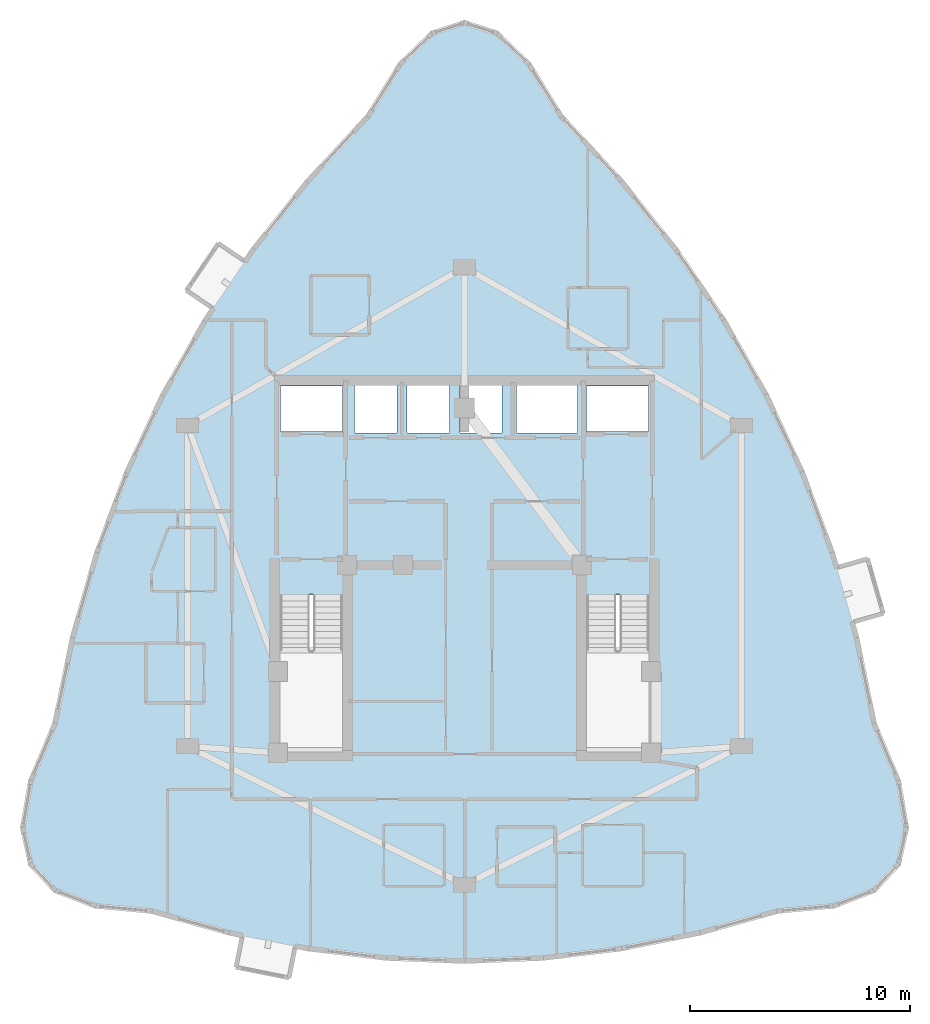
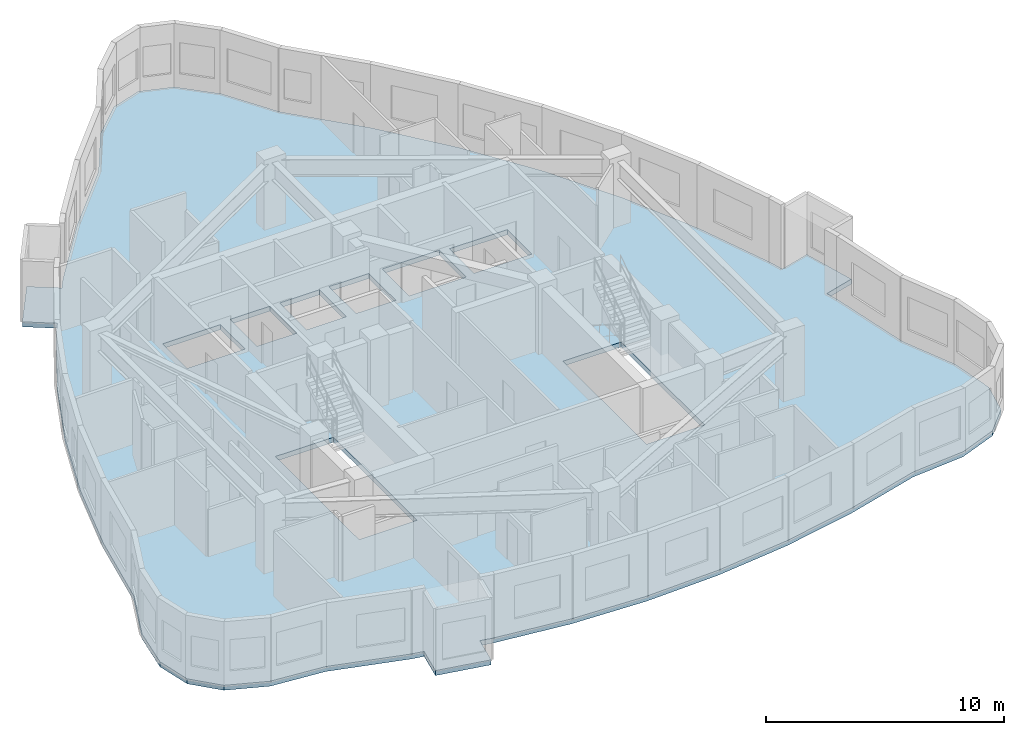
# One storey, part 5 of 13: 1 slab.
"""IFC4 building model written with IfcOpenShell, lengths in metres."""

from ifc_helpers import new_model, si_unit, direction, frame, origin, place, context, subcontext, project, spatial, polyline, outline, extrude, material, layer, layer_set, type_object, element, save


model = new_model("IFC4")

# Units and contexts
model_context = context("Model", 3, precision=1e-05, world=origin(), true_north=direction((0.0, 1.0)))
body_context = subcontext(model_context, "Body", "Model", "MODEL_VIEW")
ifc_project = project(units=[si_unit("LENGTHUNIT", "METRE"), si_unit("AREAUNIT", "SQUARE_METRE"), si_unit("VOLUMEUNIT", "CUBIC_METRE"), si_unit("PLANEANGLEUNIT", "RADIAN"), si_unit("MASSUNIT", "GRAM", prefix="KILO")], contexts=[model_context])

# Site, building, storey
site_placement = place(None, origin())
site = spatial("IfcSite", under=ifc_project, at=site_placement, CompositionType="ELEMENT")
building_placement = place(site_placement, origin())
building = spatial("IfcBuilding", under=site, at=building_placement, Name="Miruveldt Soraemaru", CompositionType="ELEMENT")
storey_placement = place(building_placement, frame((0.0, 0.0, 205.199951171875)))
storey = spatial("IfcBuildingStorey", under=building, at=storey_placement, Name="L56", CompositionType="ELEMENT", Elevation=205.199951171875)

# Slab
ifc_material = material(Name="Concrete C40/50 (40 MPa)", Category="concrete")
ifc_layer = layer(ifc_material, 0.2548828125, Name="Concrete C40/50 (40 MPa)", Category="concrete")
ifc_layer_set = layer_set([ifc_layer], Name="Concrete C40/50 (40 MPa)")
slab_type = type_object("IfcSlabType", Name="SLAB-RES3-255", PredefinedType="FLOOR", material=ifc_layer_set)
slab_placement = place(storey_placement, frame((0.0, 0.0, -0.2548828125)))
element("IfcSlab", 1, at=slab_placement, inside=storey, type_object=slab_type, Name="L56 Structural Floor Slab", PredefinedType="FLOOR", context=body_context, shape_type="SweptSolid", body=[
    extrude(outline(polyline([(33.591796875, 25.7412109375), (33.882080078125, 27.1923828125), (35.093505859375, 26.9501953125), (33.312255859375, 27.306396484375), (29.749755859375, 28.303955078125), (27.187255859375, 28.540771484375), (25.356689453125, 29.2509765625), (24.258544921875, 30.4345703125), (23.892333984375, 32.091552734375), (24.258544921875, 34.22216796875), (25.356689453125, 36.825927734375), (26.17041015625, 40.7802734375), (27.2607421875, 44.592041015625), (28.627197265625, 48.26123046875), (30.270263671875, 51.7880859375), (32.189697265625, 55.17236328125), (33.287841796875, 56.793212890625), (32.55859375, 55.716796875), (31.33349609375, 56.547119140625), (32.79150390625, 58.699462890625), (34.016845703125, 57.869384765625), (34.3857421875, 58.4140625), (36.858154296875, 61.51318359375), (39.60693359375, 64.469970703125), (41.0712890625, 66.837158203125), (42.53564453125, 68.257568359375), (44.0, 68.73095703125), (45.46435546875, 68.257568359375), (46.9287109375, 66.837158203125), (48.39306640625, 64.469970703125), (51.141845703125, 61.51318359375), (53.6142578125, 58.4140625), (55.810302734375, 55.17236328125), (57.729736328125, 51.7880859375), (59.372802734375, 48.26123046875), (60.7392578125, 44.592041015625), (60.927001953125, 43.93603515625), (62.349853515625, 44.343017578125), (63.064697265625, 41.84326171875), (61.641845703125, 41.436279296875), (61.284423828125, 42.686279296875), (61.82958984375, 40.7802734375), (62.643310546875, 36.825927734375), (63.741455078125, 34.22216796875), (64.107666015625, 32.091552734375), (63.741455078125, 30.4345703125), (62.643310546875, 29.2509765625), (60.812744140625, 28.540771484375), (58.250244140625, 28.303955078125), (54.687744140625, 27.306396484375), (51.125, 26.593994140625), (47.5625, 26.16650390625), (44.0, 26.02392578125), (40.4375, 26.16650390625), (36.875, 26.593994140625), (36.30517578125, 26.7080078125), (36.014892578125, 25.256591796875), (33.591796875, 25.7412109375)]), holes=[polyline([(35.614990234375, 35.6650390625), (38.43505859375, 35.6650390625), (38.43505859375, 42.68505859375), (35.614990234375, 42.68505859375), (35.614990234375, 35.6650390625)]), polyline([(49.56494140625, 35.6650390625), (52.385009765625, 35.6650390625), (52.385009765625, 42.68505859375), (49.56494140625, 42.68505859375), (49.56494140625, 35.6650390625)]), polyline([(38.445068359375, 50.135009765625), (38.445068359375, 52.205078125), (35.635009765625, 52.205078125), (35.635009765625, 50.135009765625), (38.445068359375, 50.135009765625)]), polyline([(52.364990234375, 50.135009765625), (52.364990234375, 52.205078125), (49.554931640625, 52.205078125), (49.554931640625, 50.135009765625), (52.364990234375, 50.135009765625)]), polyline([(40.9150390625, 50.06494140625), (40.9150390625, 52.3349609375), (38.985107421875, 52.3349609375), (38.985107421875, 50.06494140625), (40.9150390625, 50.06494140625)]), polyline([(43.31494140625, 50.06494140625), (43.31494140625, 52.3349609375), (41.385009765625, 52.3349609375), (41.385009765625, 50.06494140625), (43.31494140625, 50.06494140625)]), polyline([(45.715087890625, 50.06494140625), (45.715087890625, 52.3349609375), (43.784912109375, 52.3349609375), (43.784912109375, 50.06494140625), (45.715087890625, 50.06494140625)]), polyline([(49.135009765625, 50.06494140625), (49.135009765625, 52.3349609375), (46.364990234375, 52.3349609375), (46.364990234375, 50.06494140625), (49.135009765625, 50.06494140625)])]), origin(), (0.0, 0.0, 1.0), 0.2548828125),
])

save(model, "model.ifc")
